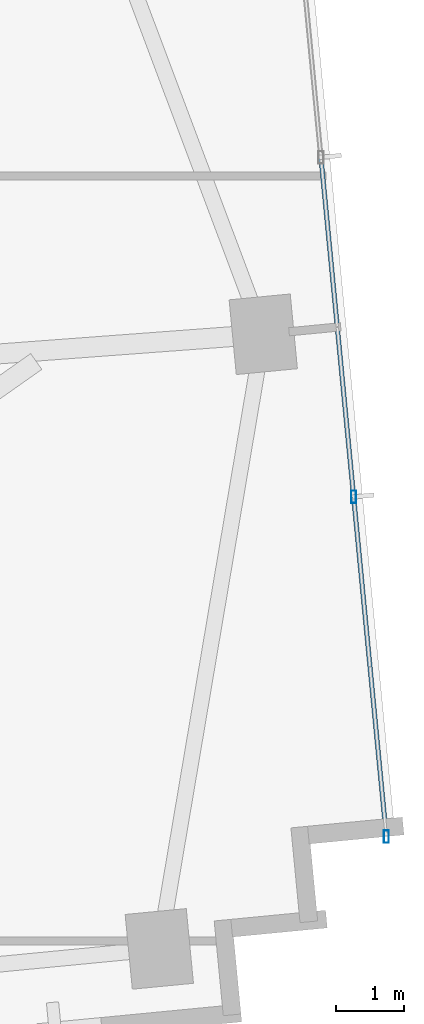
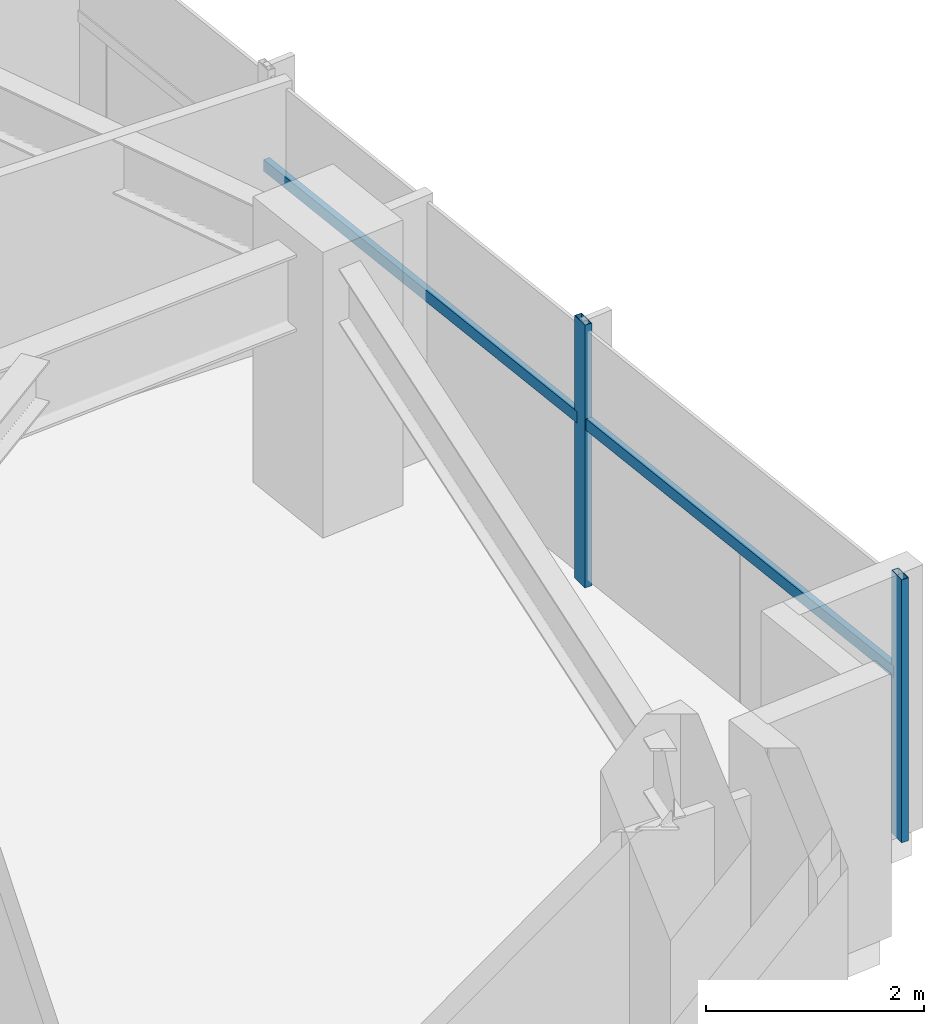
# One storey, part 14 of 25: 4 members, 1 element without a shape of its own.
"""IFC4 building model written with IfcOpenShell, lengths in metres."""

from ifc_helpers import new_model, si_unit, direction, frame, origin, origin_2d, place, context, subcontext, project, spatial, hollow_rectangle, extrude, source, transform, mapped, material, material_profile, profile_set, type_object, type_shapes, element, aggregate, save


model = new_model("IFC4")

# Units and contexts
model_context = context("Model", 3, precision=1e-05, world=origin(), true_north=direction((0.0, 1.0)))
body_context = subcontext(model_context, "Body", "Model", "MODEL_VIEW")
ifc_project = project(units=[si_unit("LENGTHUNIT", "METRE"), si_unit("AREAUNIT", "SQUARE_METRE"), si_unit("VOLUMEUNIT", "CUBIC_METRE"), si_unit("PLANEANGLEUNIT", "RADIAN"), si_unit("MASSUNIT", "GRAM", prefix="KILO")], contexts=[model_context])

# Site, building, storey
site_placement = place(None, origin())
site = spatial("IfcSite", under=ifc_project, at=site_placement, CompositionType="ELEMENT")
building_placement = place(site_placement, origin())
building = spatial("IfcBuilding", under=site, at=building_placement, Name="Astriad Promenade Condominiums", CompositionType="ELEMENT")
storey_placement = place(building_placement, frame((0.0, 0.0, 106.60009765625)))
storey = spatial("IfcBuildingStorey", under=building, at=storey_placement, Name="L30", CompositionType="ELEMENT", Elevation=106.60009765625)

# Curtain wall, members
ifc_material_1 = material(Name="Anodised aluminium Black Dark Glass Unitised", Category="aluminium")
curtain_wall_type = type_object("IfcCurtainWallType", Name="CW-B2-DARK", PredefinedType="USERDEFINED", material=ifc_material_1)
curtain_wall_placement = place(storey_placement, origin())
curtain_wall = element("IfcCurtainWall", 1, at=curtain_wall_placement, inside=storey, type_object=curtain_wall_type, Name="CW-L30-E", ObjectType="UNITISED_CURTAIN_WALL", PredefinedType="USERDEFINED")
ifc_material_2 = material(Name="Anodised aluminium 6063-T6 Black", Category="aluminium")
ifc_material_profile_1 = material_profile(ifc_material_2, hollow_rectangle(XDim=0.074951171875, YDim=0.18505859375, WallThickness=0.00439453125, at=origin_2d()), Name="ALU-MUL-75X185")
ifc_profile_set_1 = profile_set([ifc_material_profile_1], Name="Anodised aluminium 6063-T6 Black")
member_type_1 = type_object("IfcMemberType", Name="MUL-ALU-MUL-75X185", PredefinedType="MULLION", material=ifc_profile_set_1)
shared_shape_1 = source(origin(), body_context, "Body", "SweptSolid", [
    extrude(hollow_rectangle(XDim=0.074951171875, YDim=0.18505859375, WallThickness=0.00439453125, at=origin_2d()), origin(), (0.0, 0.0, 1.0), 2.93994140625),
])
type_shapes(member_type_1, [shared_shape_1])
member_1_placement = place(storey_placement, frame((68.972900390625, 16.6552734375, 0.0), z_axis=(0.0, 0.0, 1.0), x_axis=(1.0, 0.0, 0.0)))
member_1 = element("IfcMember", 2, at=member_1_placement, type_object=member_type_1, Name="CW-L30-E-MUL-02", PredefinedType="MULLION", context=body_context, shape_type="MappedRepresentation", body=[
    mapped(shared_shape_1, transform((0.0, 0.0, 0.0), scale=1.0)),
])
member_2_placement = place(storey_placement, frame((69.4521484375, 11.67822265625, 0.0), z_axis=(0.0, 0.0, 1.0), x_axis=(1.0, 0.0, 0.0)))
member_2 = element("IfcMember", 3, at=member_2_placement, type_object=member_type_1, Name="CW-L30-E-MUL-03", PredefinedType="MULLION", context=body_context, shape_type="MappedRepresentation", body=[
    mapped(shared_shape_1, transform((0.0, 0.0, 0.0), scale=1.0)),
])
ifc_material_profile_2 = material_profile(ifc_material_2, hollow_rectangle(XDim=0.06494140625, YDim=0.1298828125, WallThickness=0.00390625, at=origin_2d()), Name="ALU-TRN-65X130")
ifc_profile_set_2 = profile_set([ifc_material_profile_2], Name="Anodised aluminium 6063-T6 Black")
member_type_2 = type_object("IfcMemberType", Name="TRN-ALU-TRN-65X130", PredefinedType="USERDEFINED", material=ifc_profile_set_2)
shared_shape_2 = source(origin(), body_context, "Body", "SweptSolid", [
    extrude(hollow_rectangle(XDim=0.06494140625, YDim=0.1298828125, WallThickness=0.00390625, at=origin_2d()), origin(), (0.0, 0.0, 1.0), 5.0),
])
member_3_placement = place(storey_placement, frame((68.972900390625, 16.6552734375, 1.82275390625), z_axis=(0.095848242264, -0.995395958629, 0.0), x_axis=(0.995395958629, 0.095848242264, 0.0)))
member_3 = element("IfcMember", 4, at=member_3_placement, type_object=member_type_2, Name="CW-L30-E-TRN-02-0", ObjectType="TRANSOM", PredefinedType="USERDEFINED", context=body_context, shape_type="MappedRepresentation", body=[
    mapped(shared_shape_2, transform((0.0, 0.0, 0.0), scale=1.0)),
])
shared_shape_3 = source(origin(), body_context, "Body", "SweptSolid", [
    extrude(hollow_rectangle(XDim=0.06494140625, YDim=0.1298828125, WallThickness=0.00390625, at=origin_2d()), origin(), (0.0, 0.0, 1.0), 4.999755859375),
])
type_shapes(member_type_2, [shared_shape_2, shared_shape_3])
member_4_placement = place(storey_placement, frame((68.493896484375, 21.632080078125, 1.82275390625), z_axis=(0.095804519461, -0.995400167797, 0.0), x_axis=(0.995400167797, 0.095804519461, 0.0)))
member_4 = element("IfcMember", 5, at=member_4_placement, type_object=member_type_2, Name="CW-L30-E-TRN-01-0", ObjectType="TRANSOM", PredefinedType="USERDEFINED", context=body_context, shape_type="MappedRepresentation", body=[
    mapped(shared_shape_3, transform((0.0, 0.0, 0.0), scale=1.0)),
])
aggregate(curtain_wall, [member_1, member_2, member_4, member_3])

save(model, "model.ifc")
